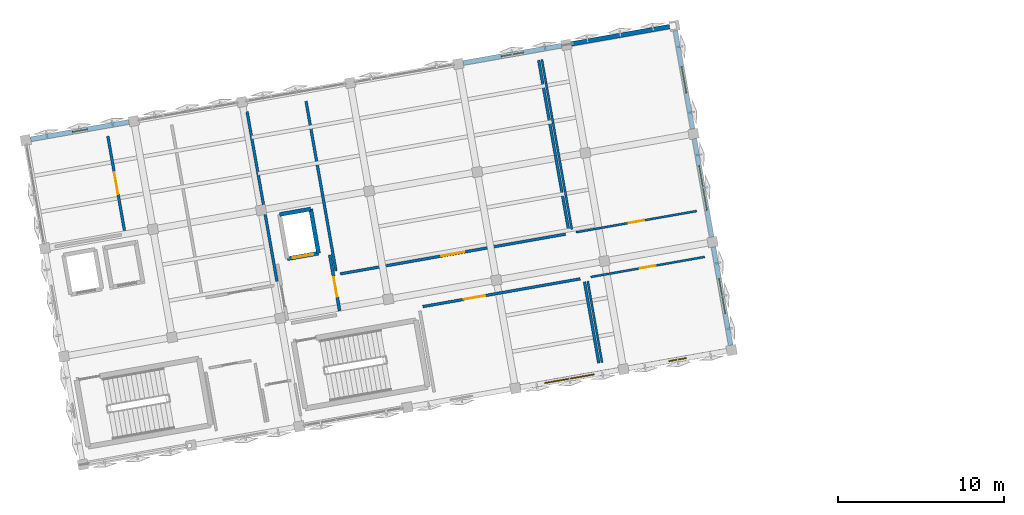
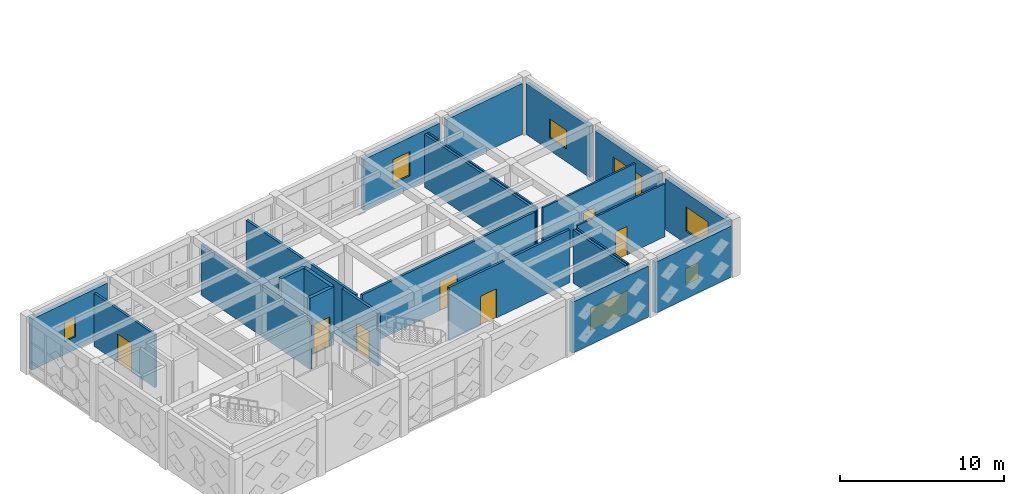
# One storey, part 21 of 29: 23 walls, 7 doors, 7 windows, 14 openings.
"""IFC4 building model written with IfcOpenShell, lengths in metres."""

from ifc_helpers import new_model, si_unit, direction, frame, frame_2d, origin, place, context, subcontext, project, spatial, rectangle, extrude, material, layer, layer_set, type_object, element, fill, save


model = new_model("IFC4")

# Units and contexts
model_context = context("Model", 3, precision=1e-05, world=origin(), true_north=direction((0.0, 1.0)))
body_context = subcontext(model_context, "Body", "Model", "MODEL_VIEW")
ifc_project = project(units=[si_unit("LENGTHUNIT", "METRE"), si_unit("AREAUNIT", "SQUARE_METRE"), si_unit("VOLUMEUNIT", "CUBIC_METRE"), si_unit("PLANEANGLEUNIT", "RADIAN"), si_unit("MASSUNIT", "GRAM", prefix="KILO")], contexts=[model_context])

# Site, building, storey
site_placement = place(None, origin())
site = spatial("IfcSite", under=ifc_project, at=site_placement, CompositionType="ELEMENT")
building_placement = place(site_placement, origin())
building = spatial("IfcBuilding", under=site, at=building_placement, Name="Kharisveld Research Institute", CompositionType="ELEMENT")
storey_placement = place(building_placement, frame((0.0, 0.0, 32.10009765625)))
storey = spatial("IfcBuildingStorey", under=building, at=storey_placement, Name="L07", CompositionType="ELEMENT", Elevation=32.10009765625)

# Walls
ifc_material_1 = material(Name="Concrete C40/50", Category="concrete")
ifc_layer_1 = layer(ifc_material_1, 0.239990234375)
ifc_layer_set_1 = layer_set([ifc_layer_1], Name="WL_CORE_240")
wall_type_1 = type_object("IfcWallType", Name="WL_CORE_240", PredefinedType="SHEAR", material=ifc_layer_set_1)
wall_1_placement = place(storey_placement, frame((17.01953125, 50.040771484375, 0.0), z_axis=(0.0, 0.0, 1.0), x_axis=(0.984815882103, 0.173602068988, 0.0)))
element("IfcWall", 1, at=wall_1_placement, inside=storey, type_object=wall_type_1, Name="WL:LFT:FFL-01:L07:N", PredefinedType="SHEAR", context=body_context, shape_type="SweptSolid", body=[
    extrude(rectangle(XDim=1.89990234375, YDim=0.239990234375, at=frame_2d((0.949951171875, 0.0))), origin(), (0.0, 0.0, 1.0), 4.27978515625),
])
wall_2_placement = place(storey_placement, frame((18.890625, 50.37060546875, 0.0), z_axis=(0.0, 0.0, 1.0), x_axis=(0.173615102578, -0.98481358447, 0.0)))
element("IfcWall", 2, at=wall_2_placement, inside=storey, type_object=wall_type_1, Name="WL:LFT:FFL-01:L07:E", PredefinedType="SHEAR", context=body_context, shape_type="SweptSolid", body=[
    extrude(rectangle(XDim=2.699951171875, YDim=0.239990234375, at=frame_2d((1.35009765625, 0.0))), origin(), (0.0, 0.0, 1.0), 4.27978515625),
])

# Wall, opening, door
wall_3_placement = place(storey_placement, frame((19.359375, 47.711669921875, 0.0), z_axis=(0.0, 0.0, 1.0), x_axis=(-0.984815882103, -0.173602068988, 0.0)))
wall_3 = element("IfcWall", 3, at=wall_3_placement, inside=storey, type_object=wall_type_1, Name="WL:LFT:FFL-01:L07:S", PredefinedType="SHEAR", context=body_context, shape_type="SweptSolid", body=[
    extrude(rectangle(XDim=1.89990234375, YDim=0.239990234375, at=frame_2d((0.949951171875, 0.0))), origin(), (0.0, 0.0, 1.0), 4.27978515625),
])
opening_1_placement = place(wall_3_placement, frame((0.324951171875, 0.0, 0.0)))
opening_1 = element("IfcOpeningElement", 4, at=opening_1_placement, cuts=wall_3, Name="Opening LD-02", PredefinedType="OPENING", context=body_context, shape_type="SweptSolid", body=[
    extrude(rectangle(XDim=1.25, YDim=2.199951171875, at=frame_2d((0.625, 1.10009765625))), frame((0.0, 0.1201171875, 0.0), z_axis=(0.0, -1.0, 0.0), x_axis=(1.0, 0.0, 0.0)), (0.0, 0.0, 1.0), 0.239990234375),
])
ifc_material_2 = material(Name="Flush Painted Hardwood and Anodised Aluminium", Category="wood")
door_type_1 = type_object("IfcDoorType", Name="DR_LFT_125", OperationType="SLIDING_TO_RIGHT", PredefinedType="DOOR", material=ifc_material_2)
door_1_placement = place(opening_1_placement, origin())
door_1 = element("IfcDoor", 5, at=door_1_placement, inside=storey, type_object=door_type_1, Name="FFL-01 Lift Landing Door L07", OperationType="SLIDING_TO_RIGHT", OverallHeight=2.199951171875, OverallWidth=1.25, PredefinedType="DOOR", context=body_context, shape_type="SweptSolid", body=[
    extrude(rectangle(XDim=1.25, YDim=2.199951171875, at=frame_2d((0.625, 1.10009765625))), frame((0.0, 0.02490234375, 0.0), z_axis=(0.0, -1.0, 0.0), x_axis=(1.0, 0.0, 0.0)), (0.0, 0.0, 1.0), 0.050048828125),
])
fill(opening_1, door_1)

# Wall, opening, window
ifc_material_3 = material(Name="Lightweight Acoustic Spandrel", Category="mineral")
ifc_layer_2 = layer(ifc_material_3, 0.2451171875)
ifc_layer_set_2 = layer_set([ifc_layer_2], Name="WL_EXT_245")
wall_type_2 = type_object("IfcWallType", Name="WL_EXT_245", PredefinedType="STANDARD", material=ifc_layer_set_2)
wall_4_placement = place(storey_placement, frame((40.811279296875, 61.09521484375, 0.0), z_axis=(0.0, 0.0, 1.0), x_axis=(0.173660194111, -0.984805634113, 0.0)))
wall_4 = element("IfcWall", 6, at=wall_4_placement, inside=storey, type_object=wall_type_2, Name="WL:V1:L07:E3", PredefinedType="STANDARD", context=body_context, shape_type="SweptSolid", body=[
    extrude(rectangle(XDim=6.010009765625, YDim=0.2451171875, at=frame_2d((3.0048828125, 0.0))), origin(), (0.0, 0.0, 1.0), 3.794921875),
])
opening_2_placement = place(wall_4_placement, frame((2.205078125, 0.0, 0.949951171875)))
opening_2 = element("IfcOpeningElement", 7, at=opening_2_placement, cuts=wall_4, Name="Opening WN-08", PredefinedType="OPENING", context=body_context, shape_type="SweptSolid", body=[
    extrude(rectangle(XDim=1.60009765625, YDim=1.39990234375, at=frame_2d((0.800048828125, 0.699951171875))), frame((0.0, 0.12255859375, 0.0), z_axis=(0.0, -1.0, 0.0), x_axis=(1.0, 0.0, 0.0)), (0.0, 0.0, 1.0), 0.2451171875),
])
ifc_material_4 = material(Name="Low-E Double Glazing", Category="glass")
window_type_1 = type_object("IfcWindowType", Name="WN_08", PartitioningType="DOUBLE_PANEL_VERTICAL", PredefinedType="WINDOW", material=ifc_material_4)
window_1_placement = place(opening_2_placement, origin())
window_1 = element("IfcWindow", 8, at=window_1_placement, inside=storey, type_object=window_type_1, Name="WN:V1:L07:E3", OverallHeight=1.39990234375, OverallWidth=1.60009765625, PartitioningType="SINGLE_PANEL", PredefinedType="WINDOW", context=body_context, shape_type="SweptSolid", body=[
    extrude(rectangle(XDim=1.60009765625, YDim=1.39990234375, at=frame_2d((0.800048828125, 0.699951171875))), frame((0.0, 0.030029296875, 0.0), z_axis=(0.0, -1.0, 0.0), x_axis=(1.0, 0.0, 0.0)), (0.0, 0.0, 1.0), 0.06005859375),
])
fill(opening_2, window_1)

ifc_material_5 = material(Name="Precast Concrete C40/50 Thermal Wall", Category="concrete")
ifc_layer_3 = layer(ifc_material_5, 0.260009765625)
ifc_layer_set_3 = layer_set([ifc_layer_3], Name="WL_EXT_260")
wall_type_3 = type_object("IfcWallType", Name="WL_EXT_260", PredefinedType="STANDARD", material=ifc_layer_set_3)
wall_5_placement = place(storey_placement, frame((41.95751953125, 54.595458984375, 0.0), z_axis=(0.0, 0.0, 1.0), x_axis=(0.173620796507, -0.984812580657, 0.0)))
wall_5 = element("IfcWall", 9, at=wall_5_placement, inside=storey, type_object=wall_type_3, Name="WL:V1:L07:E2", PredefinedType="STANDARD", context=body_context, shape_type="SweptSolid", body=[
    extrude(rectangle(XDim=6.010009765625, YDim=0.260009765625, at=frame_2d((3.0048828125, 0.0))), origin(), (0.0, 0.0, 1.0), 3.794921875),
])
opening_3_placement = place(wall_5_placement, frame((1.655029296875, 0.0, 0.949951171875)))
opening_3 = element("IfcOpeningElement", 10, at=opening_3_placement, cuts=wall_5, Name="Opening WN-07", PredefinedType="OPENING", context=body_context, shape_type="SweptSolid", body=[
    extrude(rectangle(XDim=2.699951171875, YDim=1.800048828125, at=frame_2d((1.35009765625, 0.89990234375))), frame((0.0, 0.1298828125, 0.0), z_axis=(0.0, -1.0, 0.0), x_axis=(1.0, 0.0, 0.0)), (0.0, 0.0, 1.0), 0.260009765625),
])
ifc_material_6 = material(Name="Low-E Double Glazing", Category="glass")
window_type_2 = type_object("IfcWindowType", Name="WN_07", PartitioningType="TRIPLE_PANEL_VERTICAL", PredefinedType="WINDOW", material=ifc_material_6)
window_2_placement = place(opening_3_placement, origin())
window_2 = element("IfcWindow", 11, at=window_2_placement, inside=storey, type_object=window_type_2, Name="WN:V1:L07:E2", OverallHeight=1.800048828125, OverallWidth=2.699951171875, PartitioningType="SINGLE_PANEL", PredefinedType="WINDOW", context=body_context, shape_type="SweptSolid", body=[
    extrude(rectangle(XDim=2.699951171875, YDim=1.800048828125, at=frame_2d((1.35009765625, 0.89990234375))), frame((0.0, 0.030029296875, 0.0), z_axis=(0.0, -1.0, 0.0), x_axis=(1.0, 0.0, 0.0)), (0.0, 0.0, 1.0), 0.06005859375),
])
fill(opening_3, window_2)

# Wall
ifc_material_7 = material(Name="Precast Concrete C40/50 Thermal Wall", Category="concrete")
ifc_layer_4 = layer(ifc_material_7, 0.27490234375)
ifc_layer_set_4 = layer_set([ifc_layer_4], Name="WL_EXT_275")
wall_type_4 = type_object("IfcWallType", Name="WL_EXT_275", PredefinedType="STANDARD", material=ifc_layer_set_4)
wall_6_placement = place(storey_placement, frame((34.551025390625, 60.290771484375, 0.0), z_axis=(0.0, 0.0, 1.0), x_axis=(0.984805634113, 0.173660194111, 0.0)))
element("IfcWall", 12, at=wall_6_placement, inside=storey, type_object=wall_type_4, Name="WL:V1:L07:N5", PredefinedType="STANDARD", context=body_context, shape_type="SweptSolid", body=[
    extrude(rectangle(XDim=6.010009765625, YDim=0.27490234375, at=frame_2d((3.0048828125, 0.0))), origin(), (0.0, 0.0, 1.0), 3.794921875),
])

# Wall, opening, window
wall_7_placement = place(storey_placement, frame((43.103515625, 48.095703125, 0.0), z_axis=(0.0, 0.0, 1.0), x_axis=(0.173660194111, -0.984805634113, 0.0)))
wall_7 = element("IfcWall", 13, at=wall_7_placement, inside=storey, type_object=wall_type_4, Name="WL:V1:L07:E1", PredefinedType="STANDARD", context=body_context, shape_type="SweptSolid", body=[
    extrude(rectangle(XDim=6.010009765625, YDim=0.27490234375, at=frame_2d((3.0048828125, 0.0))), origin(), (0.0, 0.0, 1.0), 3.794921875),
])
opening_4_placement = place(wall_7_placement, frame((1.955078125, 0.0, 0.949951171875)))
opening_4 = element("IfcOpeningElement", 14, at=opening_4_placement, cuts=wall_7, Name="Opening WN-06", PredefinedType="OPENING", context=body_context, shape_type="SweptSolid", body=[
    extrude(rectangle(XDim=2.10009765625, YDim=1.800048828125, at=frame_2d((1.050048828125, 0.89990234375))), frame((0.0, 0.137451171875, 0.0), z_axis=(0.0, -1.0, 0.0), x_axis=(1.0, 0.0, 0.0)), (0.0, 0.0, 1.0), 0.27490234375),
])
ifc_material_8 = material(Name="Low-E Double Glazing", Category="glass")
window_type_3 = type_object("IfcWindowType", Name="WN_06", PartitioningType="DOUBLE_PANEL_VERTICAL", PredefinedType="WINDOW", material=ifc_material_8)
window_3_placement = place(opening_4_placement, origin())
window_3 = element("IfcWindow", 15, at=window_3_placement, inside=storey, type_object=window_type_3, Name="WN:V1:L07:E1", OverallHeight=1.800048828125, OverallWidth=2.10009765625, PartitioningType="SINGLE_PANEL", PredefinedType="WINDOW", context=body_context, shape_type="SweptSolid", body=[
    extrude(rectangle(XDim=2.10009765625, YDim=1.800048828125, at=frame_2d((1.050048828125, 0.89990234375))), frame((0.0, 0.030029296875, 0.0), z_axis=(0.0, -1.0, 0.0), x_axis=(1.0, 0.0, 0.0)), (0.0, 0.0, 1.0), 0.06005859375),
])
fill(opening_4, window_3)

ifc_material_9 = material(Name="Precast Concrete C40/50 Thermal Wall", Category="concrete")
ifc_layer_5 = layer(ifc_material_9, 0.2900390625)
ifc_layer_set_5 = layer_set([ifc_layer_5], Name="WL_EXT_290")
wall_type_5 = type_object("IfcWallType", Name="WL_EXT_290", PredefinedType="STANDARD", material=ifc_layer_set_5)
wall_8_placement = place(storey_placement, frame((2.05224609375, 54.560302734375, 0.0), z_axis=(0.0, 0.0, 1.0), x_axis=(0.984805634113, 0.173660194111, 0.0)))
wall_8 = element("IfcWall", 16, at=wall_8_placement, inside=storey, type_object=wall_type_5, Name="WL:V1:L07:N0", PredefinedType="STANDARD", context=body_context, shape_type="SweptSolid", body=[
    extrude(rectangle(XDim=6.010009765625, YDim=0.2900390625, at=frame_2d((3.0048828125, 0.0))), origin(), (0.0, 0.0, 1.0), 3.794921875),
])
opening_5_placement = place(wall_8_placement, frame((2.554931640625, 0.0, 0.949951171875)))
opening_5 = element("IfcOpeningElement", 17, at=opening_5_placement, cuts=wall_8, Name="Opening WN-05", PredefinedType="OPENING", context=body_context, shape_type="SweptSolid", body=[
    extrude(rectangle(XDim=0.89990234375, YDim=1.5, at=frame_2d((0.449951171875, 0.75))), frame((0.0, 0.14501953125, 0.0), z_axis=(0.0, -1.0, 0.0), x_axis=(1.0, 0.0, 0.0)), (0.0, 0.0, 1.0), 0.2900390625),
])
ifc_material_10 = material(Name="Low-E Double Glazing", Category="glass")
window_type_4 = type_object("IfcWindowType", Name="WN_05", PartitioningType="SINGLE_PANEL", PredefinedType="WINDOW", material=ifc_material_10)
window_4_placement = place(opening_5_placement, origin())
window_4 = element("IfcWindow", 18, at=window_4_placement, inside=storey, type_object=window_type_4, Name="WN:V1:L07:N0", OverallHeight=1.5, OverallWidth=0.89990234375, PartitioningType="SINGLE_PANEL", PredefinedType="WINDOW", context=body_context, shape_type="SweptSolid", body=[
    extrude(rectangle(XDim=0.89990234375, YDim=1.5, at=frame_2d((0.449951171875, 0.75))), frame((0.0, 0.030029296875, 0.0), z_axis=(0.0, -1.0, 0.0), x_axis=(1.0, 0.0, 0.0)), (0.0, 0.0, 1.0), 0.06005859375),
])
fill(opening_5, window_4)

wall_9_placement = place(storey_placement, frame((28.05126953125, 59.144775390625, 0.0), z_axis=(0.0, 0.0, 1.0), x_axis=(0.984805634113, 0.173660194111, 0.0)))
wall_9 = element("IfcWall", 19, at=wall_9_placement, inside=storey, type_object=wall_type_5, Name="WL:V1:L07:N4", PredefinedType="STANDARD", context=body_context, shape_type="SweptSolid", body=[
    extrude(rectangle(XDim=6.010009765625, YDim=0.2900390625, at=frame_2d((3.0048828125, 0.0))), origin(), (0.0, 0.0, 1.0), 3.794921875),
])
opening_6_placement = place(wall_9_placement, frame((2.330078125, 0.0, 0.949951171875)))
opening_6 = element("IfcOpeningElement", 20, at=opening_6_placement, cuts=wall_9, Name="Opening WN-09", PredefinedType="OPENING", context=body_context, shape_type="SweptSolid", body=[
    extrude(rectangle(XDim=1.35009765625, YDim=1.800048828125, at=frame_2d((0.675048828125, 0.89990234375))), frame((0.0, 0.14501953125, 0.0), z_axis=(0.0, -1.0, 0.0), x_axis=(1.0, 0.0, 0.0)), (0.0, 0.0, 1.0), 0.2900390625),
])
ifc_material_11 = material(Name="Low-E Double Glazing", Category="glass")
window_type_5 = type_object("IfcWindowType", Name="WN_09", PartitioningType="SINGLE_PANEL", PredefinedType="WINDOW", material=ifc_material_11)
window_5_placement = place(opening_6_placement, origin())
window_5 = element("IfcWindow", 21, at=window_5_placement, inside=storey, type_object=window_type_5, Name="WN:V1:L07:N4", OverallHeight=1.800048828125, OverallWidth=1.35009765625, PartitioningType="SINGLE_PANEL", PredefinedType="WINDOW", context=body_context, shape_type="SweptSolid", body=[
    extrude(rectangle(XDim=1.35009765625, YDim=1.800048828125, at=frame_2d((0.675048828125, 0.89990234375))), frame((0.0, 0.030029296875, 0.0), z_axis=(0.0, -1.0, 0.0), x_axis=(1.0, 0.0, 0.0)), (0.0, 0.0, 1.0), 0.06005859375),
])
fill(opening_6, window_5)

ifc_material_12 = material(Name="Precast Concrete C40/50 Ochre Panel", Category="concrete")
ifc_layer_6 = layer(ifc_material_12, 0.304931640625)
ifc_layer_set_6 = layer_set([ifc_layer_6], Name="WL_EXT_305")
wall_type_6 = type_object("IfcWallType", Name="WL_EXT_305", PredefinedType="STANDARD", material=ifc_layer_set_6)
wall_10_placement = place(storey_placement, frame((43.907958984375, 41.835205078125, 0.0), z_axis=(0.0, 0.0, 1.0), x_axis=(-0.984805634113, -0.173660194111, 0.0)))
wall_10 = element("IfcWall", 22, at=wall_10_placement, inside=storey, type_object=wall_type_6, Name="WL:V1:L07:S6", PredefinedType="STANDARD", context=body_context, shape_type="SweptSolid", body=[
    extrude(rectangle(XDim=6.010009765625, YDim=0.304931640625, at=frame_2d((3.0048828125, 0.0))), origin(), (0.0, 0.0, 1.0), 3.794921875),
])
opening_7_placement = place(wall_10_placement, frame((2.47998046875, 0.0, 0.949951171875)))
opening_7 = element("IfcOpeningElement", 23, at=opening_7_placement, cuts=wall_10, Name="Opening WN-11", PredefinedType="OPENING", context=body_context, shape_type="SweptSolid", body=[
    extrude(rectangle(XDim=1.050048828125, YDim=1.199951171875, at=frame_2d((0.52490234375, 0.60009765625))), frame((0.0, 0.15234375, 0.0), z_axis=(0.0, -1.0, 0.0), x_axis=(1.0, 0.0, 0.0)), (0.0, 0.0, 1.0), 0.304931640625),
])
ifc_material_13 = material(Name="Low-E Double Glazing", Category="glass")
window_type_6 = type_object("IfcWindowType", Name="WN_11", PartitioningType="SINGLE_PANEL", PredefinedType="WINDOW", material=ifc_material_13)
window_6_placement = place(opening_7_placement, origin())
window_6 = element("IfcWindow", 24, at=window_6_placement, inside=storey, type_object=window_type_6, Name="WN:V1:L07:S6", OverallHeight=1.199951171875, OverallWidth=1.050048828125, PartitioningType="SINGLE_PANEL", PredefinedType="WINDOW", context=body_context, shape_type="SweptSolid", body=[
    extrude(rectangle(XDim=1.050048828125, YDim=1.199951171875, at=frame_2d((0.52490234375, 0.60009765625))), frame((0.0, 0.030029296875, 0.0), z_axis=(0.0, -1.0, 0.0), x_axis=(1.0, 0.0, 0.0)), (0.0, 0.0, 1.0), 0.06005859375),
])
fill(opening_7, window_6)

wall_11_placement = place(storey_placement, frame((37.408203125, 40.689208984375, 0.0), z_axis=(0.0, 0.0, 1.0), x_axis=(-0.984805634113, -0.173660194111, 0.0)))
wall_11 = element("IfcWall", 25, at=wall_11_placement, inside=storey, type_object=wall_type_6, Name="WL:V1:L07:S5", PredefinedType="STANDARD", context=body_context, shape_type="SweptSolid", body=[
    extrude(rectangle(XDim=6.010009765625, YDim=0.304931640625, at=frame_2d((3.0048828125, 0.0))), origin(), (0.0, 0.0, 1.0), 3.794921875),
])
opening_8_placement = place(wall_11_placement, frame((1.5048828125, 0.0, 0.949951171875)))
opening_8 = element("IfcOpeningElement", 26, at=opening_8_placement, cuts=wall_11, Name="Opening WN-10", PredefinedType="OPENING", context=body_context, shape_type="SweptSolid", body=[
    extrude(rectangle(XDim=3.0, YDim=1.64990234375, at=frame_2d((1.5, 0.824951171875))), frame((0.0, 0.15234375, 0.0), z_axis=(0.0, -1.0, 0.0), x_axis=(1.0, 0.0, 0.0)), (0.0, 0.0, 1.0), 0.304931640625),
])
ifc_material_14 = material(Name="Low-E Double Glazing", Category="glass")
window_type_7 = type_object("IfcWindowType", Name="WN_10", PartitioningType="TRIPLE_PANEL_VERTICAL", PredefinedType="WINDOW", material=ifc_material_14)
window_7_placement = place(opening_8_placement, origin())
window_7 = element("IfcWindow", 27, at=window_7_placement, inside=storey, type_object=window_type_7, Name="WN:V1:L07:S5", OverallHeight=1.64990234375, OverallWidth=3.0, PartitioningType="SINGLE_PANEL", PredefinedType="WINDOW", context=body_context, shape_type="SweptSolid", body=[
    extrude(rectangle(XDim=3.0, YDim=1.64990234375, at=frame_2d((1.5, 0.824951171875))), frame((0.0, 0.030029296875, 0.0), z_axis=(0.0, -1.0, 0.0), x_axis=(1.0, 0.0, 0.0)), (0.0, 0.0, 1.0), 0.06005859375),
])
fill(opening_8, window_7)

# Wall, opening, door
ifc_material_15 = material(Name="Acoustic Drywall Partition", Category="mineral")
ifc_layer_7 = layer(ifc_material_15, 0.1650390625)
ifc_layer_set_7 = layer_set([ifc_layer_7], Name="WL_LAB_165")
wall_type_7 = type_object("IfcWallType", Name="WL_LAB_165", PredefinedType="PARTITIONING", material=ifc_layer_set_7)
wall_12_placement = place(storey_placement, frame((7.6953125, 49.076904296875, 0.0), z_axis=(0.0, 0.0, 1.0), x_axis=(-0.173649928941, 0.984807444214, 0.0)))
wall_12 = element("IfcWall", 28, at=wall_12_placement, inside=storey, type_object=wall_type_7, Name="WL:RM:V1:L07:NW:E", PredefinedType="PARTITIONING", context=body_context, shape_type="SweptSolid", body=[
    extrude(rectangle(XDim=5.760009765625, YDim=0.1650390625, at=frame_2d((2.8798828125, 0.0))), origin(), (0.0, 0.0, 1.0), 3.949951171875),
])
opening_9_placement = place(wall_12_placement, frame((2.215087890625, 0.0, 0.0)))
opening_9 = element("IfcOpeningElement", 29, at=opening_9_placement, cuts=wall_12, Name="Opening DI-135", PredefinedType="OPENING", context=body_context, shape_type="SweptSolid", body=[
    extrude(rectangle(XDim=1.330078125, YDim=2.1201171875, at=frame_2d((0.6650390625, 1.06005859375))), frame((0.0, 0.08251953125, 0.0), z_axis=(0.0, -1.0, 0.0), x_axis=(1.0, 0.0, 0.0)), (0.0, 0.0, 1.0), 0.1650390625),
])
ifc_material_16 = material(Name="Flush Painted Hardwood and Anodised Aluminium", Category="wood")
door_type_2 = type_object("IfcDoorType", Name="DR_VAR_15", OperationType="NOTDEFINED", PredefinedType="DOOR", material=ifc_material_16)
door_2_placement = place(opening_9_placement, origin())
door_2 = element("IfcDoor", 30, at=door_2_placement, inside=storey, type_object=door_type_2, Name="DR:RM:V1:L07:NW:E", OperationType="SINGLE_SWING_RIGHT", OverallHeight=2.1201171875, OverallWidth=1.330078125, PredefinedType="DOOR", context=body_context, shape_type="SweptSolid", body=[
    extrude(rectangle(XDim=1.330078125, YDim=2.1201171875, at=frame_2d((0.6650390625, 1.06005859375))), frame((0.0, 0.02490234375, 0.0), z_axis=(0.0, -1.0, 0.0), x_axis=(1.0, 0.0, 0.0)), (0.0, 0.0, 1.0), 0.050048828125),
])
fill(opening_9, door_2)

# Wall
wall_13_placement = place(storey_placement, frame((16.86474609375, 46.02294921875, 0.0), z_axis=(0.0, 0.0, 1.0), x_axis=(-0.173632075677, 0.984810592092, 0.0)))
element("IfcWall", 31, at=wall_13_placement, inside=storey, type_object=wall_type_7, Name="WL:RM:V1:L07:N1:E", PredefinedType="PARTITIONING", context=body_context, shape_type="SweptSolid", body=[
    extrude(rectangle(XDim=10.360107421875, YDim=0.1650390625, at=frame_2d((5.18017578125, 0.0))), origin(), (0.0, 0.0, 1.0), 3.744873046875),
])

# Wall, opening, door
wall_14_placement = place(storey_placement, frame((20.6650390625, 46.469482421875, 0.0), z_axis=(0.0, 0.0, 1.0), x_axis=(0.984807841198, 0.173647677539, 0.0)))
wall_14 = element("IfcWall", 32, at=wall_14_placement, inside=storey, type_object=wall_type_7, Name="WL:RM:V1:L07:N2:S", PredefinedType="PARTITIONING", context=body_context, shape_type="SweptSolid", body=[
    extrude(rectangle(XDim=13.760009765625, YDim=0.1650390625, at=frame_2d((6.8798828125, 0.0))), origin(), (0.0, 0.0, 1.0), 3.949951171875),
])
opening_10_placement = place(wall_14_placement, frame((6.18505859375, 0.0, 0.0)))
opening_10 = element("IfcOpeningElement", 33, at=opening_10_placement, cuts=wall_14, Name="Opening DI-137", PredefinedType="OPENING", context=body_context, shape_type="SweptSolid", body=[
    extrude(rectangle(XDim=1.389892578125, YDim=2.159912109375, at=frame_2d((0.69482421875, 1.080078125))), frame((0.0, 0.08251953125, 0.0), z_axis=(0.0, -1.0, 0.0), x_axis=(1.0, 0.0, 0.0)), (0.0, 0.0, 1.0), 0.1650390625),
])
ifc_material_17 = material(Name="Flush Painted Hardwood and Anodised Aluminium", Category="wood")
door_type_3 = type_object("IfcDoorType", Name="DR_VAR_17", OperationType="NOTDEFINED", PredefinedType="DOOR", material=ifc_material_17)
door_3_placement = place(opening_10_placement, origin())
door_3 = element("IfcDoor", 34, at=door_3_placement, inside=storey, type_object=door_type_3, Name="DR:RM:V1:L07:N2:S", OperationType="SINGLE_SWING_RIGHT", OverallHeight=2.159912109375, OverallWidth=1.389892578125, PredefinedType="DOOR", context=body_context, shape_type="SweptSolid", body=[
    extrude(rectangle(XDim=1.389892578125, YDim=2.159912109375, at=frame_2d((0.69482421875, 1.080078125))), frame((0.0, 0.02490234375, 0.0), z_axis=(0.0, -1.0, 0.0), x_axis=(1.0, 0.0, 0.0)), (0.0, 0.0, 1.0), 0.050048828125),
])
fill(opening_10, door_3)

# Walls
for number, where, z_axis, x_axis, name in (
    (35, (34.39453125, 49.11376953125, 0.0), (0.0, 0.0, 1.0), (-0.173654930775, 0.984806562233, 0.0), "WL:RM:V1:L07:N2:E"),
    (36, (18.611083984375, 56.8505859375, 0.0), (0.0, 0.0, 1.0), (0.173654930775, -0.984806562233, 0.0), "WL:RM:V1:L07:N2:W"),
):
    element("IfcWall", number, at=place(storey_placement, frame(where, z_axis=z_axis, x_axis=x_axis)), inside=storey, type_object=wall_type_7, Name=name, PredefinedType="PARTITIONING", context=body_context, shape_type="SweptSolid", body=[
        extrude(rectangle(XDim=10.360107421875, YDim=0.1650390625, at=frame_2d((5.18017578125, 0.0))), origin(), (0.0, 0.0, 1.0), 3.949951171875),
    ])
wall_15_placement = place(storey_placement, frame((36.212158203125, 41.10791015625, 0.0), z_axis=(0.0, 0.0, 1.0), x_axis=(-0.173611232021, 0.984814266812, 0.0)))
element("IfcWall", 37, at=wall_15_placement, inside=storey, type_object=wall_type_7, Name="WL:RM:V1:L07:S1:E", PredefinedType="PARTITIONING", context=body_context, shape_type="SweptSolid", body=[
    extrude(rectangle(XDim=4.9599609375, YDim=0.1650390625, at=frame_2d((2.47998046875, 0.0))), origin(), (0.0, 0.0, 1.0), 3.949951171875),
])

# Wall, opening, door
wall_16_placement = place(storey_placement, frame((35.09619140625, 46.1708984375, 0.0), z_axis=(0.0, 0.0, 1.0), x_axis=(-0.98480912325, -0.173640406486, 0.0)))
wall_16 = element("IfcWall", 38, at=wall_16_placement, inside=storey, type_object=wall_type_7, Name="WL:RM:V1:L07:S1:N", PredefinedType="PARTITIONING", context=body_context, shape_type="SweptSolid", body=[
    extrude(rectangle(XDim=9.610107421875, YDim=0.1650390625, at=frame_2d((4.80517578125, 0.0))), origin(), (0.0, 0.0, 1.0), 3.949951171875),
])
opening_11_placement = place(wall_16_placement, frame((5.81689453125, 0.0, 0.0)))
opening_11 = element("IfcOpeningElement", 39, at=opening_11_placement, cuts=wall_16, Name="Opening DI-139", PredefinedType="OPENING", context=body_context, shape_type="SweptSolid", body=[
    extrude(rectangle(XDim=1.300048828125, YDim=2.179931640625, at=frame_2d((0.64990234375, 1.08984375))), frame((0.0, 0.08251953125, 0.0), z_axis=(0.0, -1.0, 0.0), x_axis=(1.0, 0.0, 0.0)), (0.0, 0.0, 1.0), 0.1650390625),
])
ifc_material_18 = material(Name="Flush Painted Hardwood and Anodised Aluminium", Category="wood")
door_type_4 = type_object("IfcDoorType", Name="DR_SEM_130", OperationType="DOUBLE_DOOR_SINGLE_SWING", PredefinedType="DOOR", material=ifc_material_18)
door_4_placement = place(opening_11_placement, origin())
door_4 = element("IfcDoor", 40, at=door_4_placement, inside=storey, type_object=door_type_4, Name="DR:RM:V1:L07:S1:N", OperationType="DOUBLE_DOOR_SINGLE_SWING", OverallHeight=2.179931640625, OverallWidth=1.300048828125, PredefinedType="DOOR", context=body_context, shape_type="SweptSolid", body=[
    extrude(rectangle(XDim=1.300048828125, YDim=2.179931640625, at=frame_2d((0.64990234375, 1.08984375))), frame((0.0, 0.02490234375, 0.0), z_axis=(0.0, -1.0, 0.0), x_axis=(1.0, 0.0, 0.0)), (0.0, 0.0, 1.0), 0.050048828125),
])
fill(opening_11, door_4)

ifc_material_19 = material(Name="Masonry Blockwork", Category="masonry")
ifc_layer_8 = layer(ifc_material_19, 0.18505859375)
ifc_layer_set_8 = layer_set([ifc_layer_8], Name="WL_LOB_185")
wall_type_8 = type_object("IfcWallType", Name="WL_LOB_185", PredefinedType="SOLIDWALL", material=ifc_layer_set_8)
wall_17_placement = place(storey_placement, frame((20.6298828125, 44.249755859375, 0.0), z_axis=(0.0, 0.0, 1.0), x_axis=(-0.173621956536, 0.984812376145, 0.0)))
wall_17 = element("IfcWall", 41, at=wall_17_placement, inside=storey, type_object=wall_type_8, Name="WL:RM:V1:L07:FFL:E", PredefinedType="SOLIDWALL", context=body_context, shape_type="SweptSolid", body=[
    extrude(rectangle(XDim=3.409912109375, YDim=0.18505859375, at=frame_2d((1.705078125, 0.0))), origin(), (0.0, 0.0, 1.0), 3.949951171875),
])
opening_12_placement = place(wall_17_placement, frame((0.85009765625, 0.0, 0.0)))
opening_12 = element("IfcOpeningElement", 42, at=opening_12_placement, cuts=wall_17, Name="Opening DI-131", PredefinedType="OPENING", context=body_context, shape_type="SweptSolid", body=[
    extrude(rectangle(XDim=1.199951171875, YDim=2.14990234375, at=frame_2d((0.60009765625, 1.074951171875))), frame((0.0, 0.092529296875, 0.0), z_axis=(0.0, -1.0, 0.0), x_axis=(1.0, 0.0, 0.0)), (0.0, 0.0, 1.0), 0.18505859375),
])
ifc_material_20 = material(Name="Flush Painted Hardwood and Anodised Aluminium", Category="wood")
door_type_5 = type_object("IfcDoorType", Name="DR_FD120_120", OperationType="NOTDEFINED", PredefinedType="DOOR", material=ifc_material_20)
door_5_placement = place(opening_12_placement, origin())
door_5 = element("IfcDoor", 43, at=door_5_placement, inside=storey, type_object=door_type_5, Name="DR:RM:V1:L07:FFL:E", OperationType="SINGLE_SWING_RIGHT", OverallHeight=2.14990234375, OverallWidth=1.199951171875, PredefinedType="DOOR", context=body_context, shape_type="SweptSolid", body=[
    extrude(rectangle(XDim=1.199951171875, YDim=2.14990234375, at=frame_2d((0.60009765625, 1.074951171875))), frame((0.0, 0.02490234375, 0.0), z_axis=(0.0, -1.0, 0.0), x_axis=(1.0, 0.0, 0.0)), (0.0, 0.0, 1.0), 0.050048828125),
])
fill(opening_12, door_5)

ifc_material_21 = material(Name="Insulated Stud Partition", Category="mineral")
ifc_layer_9 = layer(ifc_material_21, 0.125)
ifc_layer_set_9 = layer_set([ifc_layer_9], Name="WL_OFF_125")
wall_type_9 = type_object("IfcWallType", Name="WL_OFF_125", PredefinedType="PARTITIONING", material=ifc_layer_set_9)
wall_18_placement = place(storey_placement, frame((34.84619140625, 48.97021484375, 0.0), z_axis=(0.0, 0.0, 1.0), x_axis=(0.984813264726, 0.173616916285, 0.0)))
wall_18 = element("IfcWall", 44, at=wall_18_placement, inside=storey, type_object=wall_type_9, Name="WL:RM:V1:L07:N3:S", PredefinedType="PARTITIONING", context=body_context, shape_type="SweptSolid", body=[
    extrude(rectangle(XDim=7.360107421875, YDim=0.125, at=frame_2d((3.68017578125, 0.0))), origin(), (0.0, 0.0, 1.0), 3.949951171875),
])
opening_13_placement = place(wall_18_placement, frame((3.2099609375, 0.0, 0.0)))
opening_13 = element("IfcOpeningElement", 45, at=opening_13_placement, cuts=wall_18, Name="Opening DI-138", PredefinedType="OPENING", context=body_context, shape_type="SweptSolid", body=[
    extrude(rectangle(XDim=0.93994140625, YDim=2.1201171875, at=frame_2d((0.469970703125, 1.06005859375))), frame((0.0, 0.0625, 0.0), z_axis=(0.0, -1.0, 0.0), x_axis=(1.0, 0.0, 0.0)), (0.0, 0.0, 1.0), 0.125),
])
ifc_material_22 = material(Name="Flush Painted Hardwood and Anodised Aluminium", Category="wood")
door_type_6 = type_object("IfcDoorType", Name="DR_OFF_094", OperationType="NOTDEFINED", PredefinedType="DOOR", material=ifc_material_22)
door_6_placement = place(opening_13_placement, origin())
door_6 = element("IfcDoor", 46, at=door_6_placement, inside=storey, type_object=door_type_6, Name="DR:RM:V1:L07:N3:S", OperationType="SINGLE_SWING_LEFT", OverallHeight=2.1201171875, OverallWidth=0.93994140625, PredefinedType="DOOR", context=body_context, shape_type="SweptSolid", body=[
    extrude(rectangle(XDim=0.93994140625, YDim=2.1201171875, at=frame_2d((0.469970703125, 1.06005859375))), frame((0.0, 0.02490234375, 0.0), z_axis=(0.0, -1.0, 0.0), x_axis=(1.0, 0.0, 0.0)), (0.0, 0.0, 1.0), 0.050048828125),
])
fill(opening_13, door_6)

# Wall
wall_19_placement = place(storey_placement, frame((32.79248046875, 59.35107421875, 0.0), z_axis=(0.0, 0.0, 1.0), x_axis=(0.173632075677, -0.984810592092, 0.0)))
element("IfcWall", 47, at=wall_19_placement, inside=storey, type_object=wall_type_9, Name="WL:RM:V1:L07:N3:W", PredefinedType="PARTITIONING", context=body_context, shape_type="SweptSolid", body=[
    extrude(rectangle(XDim=10.360107421875, YDim=0.125, at=frame_2d((5.18017578125, 0.0))), origin(), (0.0, 0.0, 1.0), 3.949951171875),
])

# Wall, opening, door
wall_20_placement = place(storey_placement, frame((42.58056640625, 47.49072265625, 0.0), z_axis=(0.0, 0.0, 1.0), x_axis=(-0.984804033539, -0.173669270527, 0.0)))
wall_20 = element("IfcWall", 48, at=wall_20_placement, inside=storey, type_object=wall_type_9, Name="WL:RM:V1:L07:S2:N", PredefinedType="PARTITIONING", context=body_context, shape_type="SweptSolid", body=[
    extrude(rectangle(XDim=6.9599609375, YDim=0.125, at=frame_2d((3.47998046875, 0.0))), origin(), (0.0, 0.0, 1.0), 3.949951171875),
])
opening_14_placement = place(wall_20_placement, frame((3.010009765625, 0.0, 0.0)))
opening_14 = element("IfcOpeningElement", 49, at=opening_14_placement, cuts=wall_20, Name="Opening DI-140", PredefinedType="OPENING", context=body_context, shape_type="SweptSolid", body=[
    extrude(rectangle(XDim=0.93994140625, YDim=2.1201171875, at=frame_2d((0.469970703125, 1.06005859375))), frame((0.0, 0.0625, 0.0), z_axis=(0.0, -1.0, 0.0), x_axis=(1.0, 0.0, 0.0)), (0.0, 0.0, 1.0), 0.125),
])
door_7_placement = place(opening_14_placement, origin())
door_7 = element("IfcDoor", 50, at=door_7_placement, inside=storey, type_object=door_type_6, Name="DR:RM:V1:L07:S2:N", OperationType="SINGLE_SWING_RIGHT", OverallHeight=2.1201171875, OverallWidth=0.93994140625, PredefinedType="DOOR", context=body_context, shape_type="SweptSolid", body=[
    extrude(rectangle(XDim=0.93994140625, YDim=2.1201171875, at=frame_2d((0.469970703125, 1.06005859375))), frame((0.0, 0.02490234375, 0.0), z_axis=(0.0, -1.0, 0.0), x_axis=(1.0, 0.0, 0.0)), (0.0, 0.0, 1.0), 0.050048828125),
])
fill(opening_14, door_7)

# Wall
wall_21_placement = place(storey_placement, frame((35.5478515625, 46.02734375, 0.0), z_axis=(0.0, 0.0, 1.0), x_axis=(0.173650553511, -0.984807334084, 0.0)))
element("IfcWall", 51, at=wall_21_placement, inside=storey, type_object=wall_type_9, Name="WL:RM:V1:L07:S2:W", PredefinedType="PARTITIONING", context=body_context, shape_type="SweptSolid", body=[
    extrude(rectangle(XDim=4.960205078125, YDim=0.125, at=frame_2d((2.47998046875, 0.0))), origin(), (0.0, 0.0, 1.0), 3.949951171875),
])

save(model, "model.ifc")
